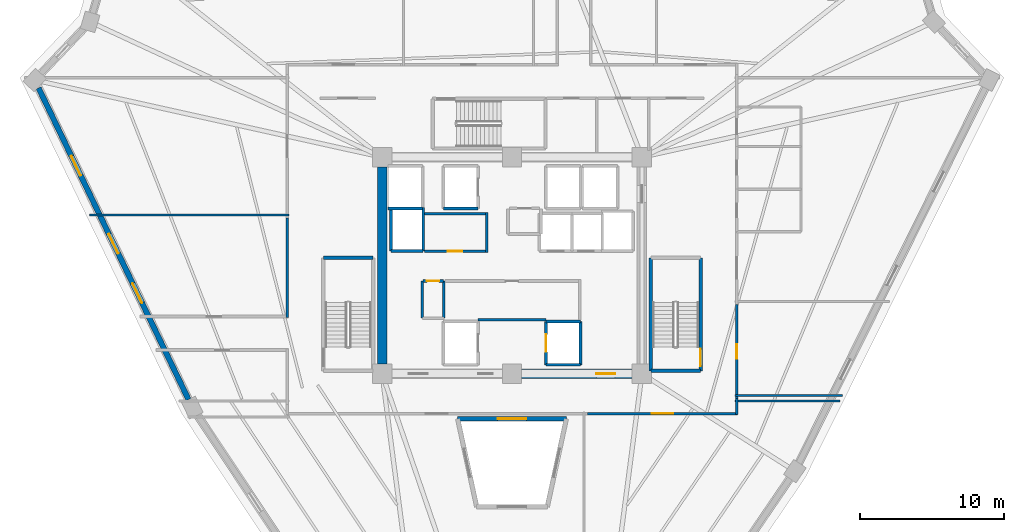
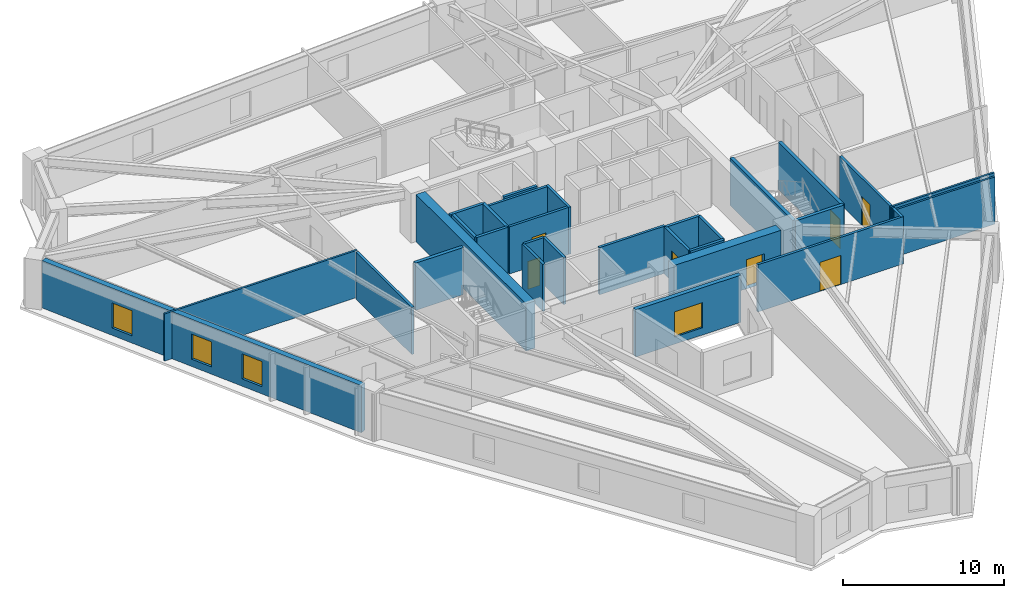
# One storey, part 4 of 9: 31 walls, 7 doors, 4 windows, 11 openings.
"""IFC4 building model written with IfcOpenShell, lengths in metres."""

from ifc_helpers import new_model, si_unit, direction, frame, frame_2d, origin, place, context, subcontext, project, spatial, rectangle, extrude, source, transform, mapped, material, layer, layer_set, type_object, element, fill, save


model = new_model("IFC4")

# Units and contexts
model_context = context("Model", 3, precision=1e-05, world=origin(), true_north=direction((0.0, 1.0)))
body_context = subcontext(model_context, "Body", "Model", "MODEL_VIEW")
ifc_project = project(units=[si_unit("LENGTHUNIT", "METRE"), si_unit("AREAUNIT", "SQUARE_METRE"), si_unit("VOLUMEUNIT", "CUBIC_METRE"), si_unit("PLANEANGLEUNIT", "RADIAN"), si_unit("MASSUNIT", "GRAM", prefix="KILO")], contexts=[model_context])

# Site, building, storey
site_placement = place(None, origin())
site = spatial("IfcSite", under=ifc_project, at=site_placement, CompositionType="ELEMENT")
building_placement = place(site_placement, origin())
building = spatial("IfcBuilding", under=site, at=building_placement, Name="Liaohun Quay Tower", CompositionType="ELEMENT")
storey_placement = place(building_placement, frame((0.0, 0.0, 224.25)))
storey = spatial("IfcBuildingStorey", under=building, at=storey_placement, Name="L58", CompositionType="ELEMENT", Elevation=224.25)

# Wall, opening, window
ifc_material_1 = material(Name="Concrete C50", Category="concrete")
ifc_layer_1 = layer(ifc_material_1, 0.300048828125, Name="Concrete C50", Category="concrete")
ifc_layer_set_1 = layer_set([ifc_layer_1], Name="Concrete C50")
wall_type_1 = type_object("IfcWallType", Name="WAL-ATR-300", PredefinedType="SOLIDWALL", material=ifc_layer_set_1)
wall_1_placement = place(storey_placement, frame((56.236083984375, 43.3701171875, 0.0), z_axis=(0.0, 0.0, 1.0), x_axis=(1.0, 0.0, 0.0)))
wall_1 = element("IfcWall", 1, at=wall_1_placement, inside=storey, type_object=wall_type_1, Name="L58 Atrium Fire Compartment Wall 2", PredefinedType="SOLIDWALL", context=body_context, shape_type="SweptSolid", body=[
    extrude(rectangle(XDim=7.52783203125, YDim=0.300048828125, at=frame_2d((3.763916015625, 0.0))), origin(), (0.0, 0.0, 1.0), 3.570068359375),
])
shared_shape_1 = source(origin(), body_context, "Body", "SweptSolid", [
    extrude(rectangle(XDim=2.0, YDim=1.89990234375, at=frame_2d((1.0, 0.949951171875))), frame((0.0, 0.159912109375, 0.0), z_axis=(0.0, -1.0, 0.0), x_axis=(1.0, 0.0, 0.0)), (0.0, 0.0, 1.0), 0.320068359375),
])
opening_1_placement = place(wall_1_placement, frame((2.763916015625, 0.0, 0.550048828125)))
opening_1 = element("IfcOpeningElement", 2, at=opening_1_placement, cuts=wall_1, Name="Opening W07", PredefinedType="OPENING", context=body_context, shape_type="MappedRepresentation", body=[
    mapped(shared_shape_1, transform((0.0, 0.0, 0.0), x_axis=(1.0, 0.0, 0.0), y_axis=(0.0, 1.0, 0.0), z_axis=(0.0, 0.0, 1.0), scale=1.0)),
])
ifc_material_2 = material(Name="Class A 180-min fire-resistant insulated glazing", Category="glass")
window_type_1 = type_object("IfcWindowType", Name="WIN-ATR-FIR", PartitioningType="DOUBLE_PANEL_VERTICAL", PredefinedType="WINDOW", material=ifc_material_2)
shared_shape_2 = source(origin(), body_context, "Body", "SweptSolid", [
    extrude(rectangle(XDim=2.0, YDim=1.89990234375, at=frame_2d((1.0, 0.949951171875))), frame((0.0, 0.030029296875, 0.0), z_axis=(0.0, -1.0, 0.0), x_axis=(1.0, 0.0, 0.0)), (0.0, 0.0, 1.0), 0.06005859375),
])
window_1_placement = place(opening_1_placement, origin())
window_1 = element("IfcWindow", 3, at=window_1_placement, inside=storey, type_object=window_type_1, Name="L58 Atrium Fire-Resistant Glazing W07-2", OverallHeight=1.89990234375, OverallWidth=2.0, PartitioningType="DOUBLE_PANEL_VERTICAL", PredefinedType="WINDOW", context=body_context, shape_type="MappedRepresentation", body=[
    mapped(shared_shape_2, transform((0.0, 0.0, 0.0), x_axis=(1.0, 0.0, 0.0), y_axis=(0.0, 1.0, 0.0), z_axis=(0.0, 0.0, 1.0), scale=1.0)),
])
fill(opening_1, window_1)

# Wall, opening, door
ifc_material_3 = material(Name="Concrete C55", Category="concrete")
ifc_layer_2 = layer(ifc_material_3, 0.64990234375, Name="Concrete C55", Category="concrete")
ifc_layer_set_2 = layer_set([ifc_layer_2], Name="Concrete C55")
wall_type_2 = type_object("IfcWallType", Name="WAL-COR-Z3", PredefinedType="SHEAR", material=ifc_layer_set_2)
wall_2_placement = place(storey_placement, frame((68.324951171875, 46.5, 0.0), z_axis=(0.0, 0.0, 1.0), x_axis=(-1.0, 0.0, 0.0)))
wall_2 = element("IfcWall", 4, at=wall_2_placement, inside=storey, type_object=wall_type_2, Name="L58 Central Core Shear Wall S-E", PredefinedType="SHEAR", context=body_context, shape_type="SweptSolid", body=[
    extrude(rectangle(XDim=7.64990234375, YDim=0.64990234375, at=frame_2d((3.824951171875, 0.0))), origin(), (0.0, 0.0, 1.0), 3.570068359375),
])
shared_shape_3 = source(origin(), body_context, "Body", "SweptSolid", [
    extrude(rectangle(XDim=1.300048828125, YDim=2.199951171875, at=frame_2d((0.64990234375, 1.10009765625))), frame((0.0, 0.3349609375, 0.0), z_axis=(0.0, -1.0, 0.0), x_axis=(1.0, 0.0, 0.0)), (0.0, 0.0, 1.0), 0.669921875),
])
opening_2_placement = place(wall_2_placement, frame((1.175048828125, 0.0, 0.0)))
opening_2 = element("IfcOpeningElement", 5, at=opening_2_placement, cuts=wall_2, Name="Opening FD1", PredefinedType="OPENING", context=body_context, shape_type="MappedRepresentation", body=[
    mapped(shared_shape_3, transform((0.0, 0.0, 0.0), x_axis=(1.0, 0.0, 0.0), y_axis=(0.0, 1.0, 0.0), z_axis=(0.0, 0.0, 1.0), scale=1.0)),
])
ifc_material_4 = material(Name="Galvanised steel smokeproof fire door", Category="steel")
door_type_1 = type_object("IfcDoorType", Name="DOR-FFL-1300", OperationType="NOTDEFINED", PredefinedType="DOOR", material=ifc_material_4)
shared_shape_4 = source(origin(), body_context, "Body", "SweptSolid", [
    extrude(rectangle(XDim=1.300048828125, YDim=2.199951171875, at=frame_2d((0.64990234375, 1.10009765625))), frame((0.0, 0.02490234375, 0.0), z_axis=(0.0, -1.0, 0.0), x_axis=(1.0, 0.0, 0.0)), (0.0, 0.0, 1.0), 0.050048828125),
])
door_1_placement = place(opening_2_placement, origin())
door_1 = element("IfcDoor", 6, at=door_1_placement, inside=storey, type_object=door_type_1, Name="L58 East Core Lift Lobby Smokeproof Door", OperationType="SINGLE_SWING_LEFT", OverallHeight=2.199951171875, OverallWidth=1.300048828125, PredefinedType="DOOR", context=body_context, shape_type="MappedRepresentation", body=[
    mapped(shared_shape_4, transform((0.0, 0.0, 0.0), x_axis=(1.0, 0.0, 0.0), y_axis=(0.0, 1.0, 0.0), z_axis=(0.0, 0.0, 1.0), scale=1.0)),
])
fill(opening_2, door_1)

# Wall
wall_3_placement = place(storey_placement, frame((51.0, 47.175048828125, 0.0), z_axis=(0.0, 0.0, 1.0), x_axis=(0.0, 1.0, 0.0)))
element("IfcWall", 7, at=wall_3_placement, inside=storey, type_object=wall_type_2, Name="L58 Central Core Shear Wall W", PredefinedType="SHEAR", context=body_context, shape_type="SweptSolid", body=[
    extrude(rectangle(XDim=13.64990234375, YDim=0.64990234375, at=frame_2d((6.824951171875, 0.0))), origin(), (0.0, 0.0, 1.0), 3.570068359375),
])

# Wall, openings, windows
ifc_material_5 = material(Name="Precast concrete C50 insulated sandwich", Category="concrete")
ifc_layer_3 = layer(ifc_material_5, 0.3798828125, Name="Precast concrete C50 insulated sandwich", Category="concrete")
ifc_layer_set_3 = layer_set([ifc_layer_3], Name="Precast concrete C50 insulated sandwich")
wall_type_3 = type_object("IfcWallType", Name="WAL-EXT-Z34", PredefinedType="SOLIDWALL", material=ifc_layer_set_3)
wall_4_placement = place(storey_placement, frame((27.2109375, 66.287109375, 0.0), z_axis=(0.0, 0.0, 1.0), x_axis=(0.433730710757, -0.901042546469, 0.0)))
wall_4 = element("IfcWall", 8, at=wall_4_placement, inside=storey, type_object=wall_type_3, Name="L58 Brutalist Precast Pier Wall 10", PredefinedType="SOLIDWALL", context=body_context, shape_type="SweptSolid", body=[
    extrude(rectangle(XDim=23.947998046875, YDim=0.3798828125, at=frame_2d((11.97412109375, 0.0))), origin(), (0.0, 0.0, 1.0), 3.570068359375),
])
shared_shape_5 = source(origin(), body_context, "Body", "SweptSolid", [
    extrude(rectangle(XDim=1.5, YDim=1.89990234375, at=frame_2d((0.75, 0.949951171875))), frame((0.0, 0.199951171875, 0.0), z_axis=(0.0, -1.0, 0.0), x_axis=(1.0, 0.0, 0.0)), (0.0, 0.0, 1.0), 0.39990234375),
])
opening_3_placement = place(wall_4_placement, frame((5.237060546875, 0.0, 0.550048828125)))
opening_3 = element("IfcOpeningElement", 9, at=opening_3_placement, cuts=wall_4, Name="Opening W03", PredefinedType="OPENING", context=body_context, shape_type="MappedRepresentation", body=[
    mapped(shared_shape_5, transform((0.0, 0.0, 0.0), x_axis=(1.0, 0.0, 0.0), y_axis=(0.0, 1.0, 0.0), z_axis=(0.0, 0.0, 1.0), scale=1.0)),
])
opening_4_placement = place(wall_4_placement, frame((11.22412109375, 0.0, 0.550048828125)))
opening_4 = element("IfcOpeningElement", 10, at=opening_4_placement, cuts=wall_4, Name="Opening W03", PredefinedType="OPENING", context=body_context, shape_type="MappedRepresentation", body=[
    mapped(shared_shape_5, transform((0.0, 0.0, 0.0), x_axis=(1.0, 0.0, 0.0), y_axis=(0.0, 1.0, 0.0), z_axis=(0.0, 0.0, 1.0), scale=1.0)),
])
opening_5_placement = place(wall_4_placement, frame((15.010986328125, 0.0, 0.550048828125)))
opening_5 = element("IfcOpeningElement", 11, at=opening_5_placement, cuts=wall_4, Name="Opening W03", PredefinedType="OPENING", context=body_context, shape_type="MappedRepresentation", body=[
    mapped(shared_shape_5, transform((0.0, 0.0, 0.0), x_axis=(1.0, 0.0, 0.0), y_axis=(0.0, 1.0, 0.0), z_axis=(0.0, 0.0, 1.0), scale=1.0)),
])
ifc_material_6 = material(Name="Triple Low-E argon glazing in thermally broken aluminium", Category="aluminium")
window_type_2 = type_object("IfcWindowType", Name="WIN-PUN-Z3", PartitioningType="DOUBLE_PANEL_VERTICAL", PredefinedType="WINDOW", material=ifc_material_6)
shared_shape_6 = source(origin(), body_context, "Body", "SweptSolid", [
    extrude(rectangle(XDim=1.5, YDim=1.89990234375, at=frame_2d((0.75, 0.949951171875))), frame((0.0, 0.030029296875, 0.0), z_axis=(0.0, -1.0, 0.0), x_axis=(1.0, 0.0, 0.0)), (0.0, 0.0, 1.0), 0.06005859375),
])
window_2_placement = place(opening_3_placement, origin())
window_2 = element("IfcWindow", 12, at=window_2_placement, inside=storey, type_object=window_type_2, Name="L58 Recessed Cold-Climate Punched Window 10-1", OverallHeight=1.89990234375, OverallWidth=1.5, PartitioningType="DOUBLE_PANEL_VERTICAL", PredefinedType="WINDOW", context=body_context, shape_type="MappedRepresentation", body=[
    mapped(shared_shape_6, transform((0.0, 0.0, 0.0), x_axis=(1.0, 0.0, 0.0), y_axis=(0.0, 1.0, 0.0), z_axis=(0.0, 0.0, 1.0), scale=1.0)),
])
fill(opening_3, window_2)
window_3_placement = place(opening_4_placement, origin())
window_3 = element("IfcWindow", 13, at=window_3_placement, inside=storey, type_object=window_type_2, Name="L58 Recessed Cold-Climate Punched Window 10-2", OverallHeight=1.89990234375, OverallWidth=1.5, PartitioningType="DOUBLE_PANEL_VERTICAL", PredefinedType="WINDOW", context=body_context, shape_type="MappedRepresentation", body=[
    mapped(shared_shape_6, transform((0.0, 0.0, 0.0), x_axis=(1.0, 0.0, 0.0), y_axis=(0.0, 1.0, 0.0), z_axis=(0.0, 0.0, 1.0), scale=1.0)),
])
fill(opening_4, window_3)
window_4_placement = place(opening_5_placement, origin())
window_4 = element("IfcWindow", 14, at=window_4_placement, inside=storey, type_object=window_type_2, Name="L58 Recessed Cold-Climate Punched Window 10-3", OverallHeight=1.89990234375, OverallWidth=1.5, PartitioningType="DOUBLE_PANEL_VERTICAL", PredefinedType="WINDOW", context=body_context, shape_type="MappedRepresentation", body=[
    mapped(shared_shape_6, transform((0.0, 0.0, 0.0), x_axis=(1.0, 0.0, 0.0), y_axis=(0.0, 1.0, 0.0), z_axis=(0.0, 0.0, 1.0), scale=1.0)),
])
fill(opening_5, window_4)

# Wall, opening, door
ifc_material_7 = material(Name="Autoclaved aerated concrete blockwork", Category="masonry")
ifc_layer_4 = layer(ifc_material_7, 0.179931640625, Name="Autoclaved aerated concrete blockwork", Category="masonry")
ifc_layer_set_4 = layer_set([ifc_layer_4], Name="Autoclaved aerated concrete blockwork")
wall_type_4 = type_object("IfcWallType", Name="WAL-PRT-COR", PredefinedType="PARTITIONING", material=ifc_layer_set_4)
wall_5_placement = place(storey_placement, frame((53.949951171875, 54.97998046875, 0.0), z_axis=(0.0, 0.0, 1.0), x_axis=(1.0, 0.0, 0.0)))
wall_5 = element("IfcWall", 15, at=wall_5_placement, inside=storey, type_object=wall_type_4, Name="L58 Interior Partition Wall 002", PredefinedType="PARTITIONING", context=body_context, shape_type="SweptSolid", body=[
    extrude(rectangle(XDim=4.2099609375, YDim=0.179931640625, at=frame_2d((2.10498046875, 0.0))), origin(), (0.0, 0.0, 1.0), 3.570068359375),
])
shared_shape_7 = source(origin(), body_context, "Body", "SweptSolid", [
    extrude(rectangle(XDim=1.0, YDim=2.199951171875, at=frame_2d((0.5, 1.10009765625))), frame((0.0, 0.099853515625, 0.0), z_axis=(0.0, -1.0, 0.0), x_axis=(1.0, 0.0, 0.0)), (0.0, 0.0, 1.0), 0.199951171875),
])
opening_6_placement = place(wall_5_placement, frame((1.60009765625, 0.0, 0.0)))
opening_6 = element("IfcOpeningElement", 16, at=opening_6_placement, cuts=wall_5, Name="Opening OD1", PredefinedType="OPENING", context=body_context, shape_type="MappedRepresentation", body=[
    mapped(shared_shape_7, transform((0.0, 0.0, 0.0), x_axis=(1.0, 0.0, 0.0), y_axis=(0.0, 1.0, 0.0), z_axis=(0.0, 0.0, 1.0), scale=1.0)),
])
ifc_material_8 = material(Name="Solid-core oak veneer timber leaf in steel frame", Category="steel")
door_type_2 = type_object("IfcDoorType", Name="DOR-OFF-1000", OperationType="NOTDEFINED", PredefinedType="DOOR", material=ifc_material_8)
shared_shape_8 = source(origin(), body_context, "Body", "SweptSolid", [
    extrude(rectangle(XDim=1.0, YDim=2.199951171875, at=frame_2d((0.5, 1.10009765625))), frame((0.0, 0.02490234375, 0.0), z_axis=(0.0, -1.0, 0.0), x_axis=(1.0, 0.0, 0.0)), (0.0, 0.0, 1.0), 0.050048828125),
])
door_2_placement = place(opening_6_placement, origin())
door_2 = element("IfcDoor", 17, at=door_2_placement, inside=storey, type_object=door_type_2, Name="L58 Core Staff Pantry and Tea Room Door", OperationType="SINGLE_SWING_RIGHT", OverallHeight=2.199951171875, OverallWidth=1.0, PredefinedType="DOOR", context=body_context, shape_type="MappedRepresentation", body=[
    mapped(shared_shape_8, transform((0.0, 0.0, 0.0), x_axis=(1.0, 0.0, 0.0), y_axis=(0.0, 1.0, 0.0), z_axis=(0.0, 0.0, 1.0), scale=1.0)),
])
fill(opening_6, door_2)

wall_6_placement = place(storey_placement, frame((53.820068359375, 52.919921875, 0.0), z_axis=(0.0, 0.0, 1.0), x_axis=(1.0, 0.0, 0.0)))
wall_6 = element("IfcWall", 18, at=wall_6_placement, inside=storey, type_object=wall_type_4, Name="L58 Interior Partition Wall 004", PredefinedType="PARTITIONING", context=body_context, shape_type="SweptSolid", body=[
    extrude(rectangle(XDim=1.429931640625, YDim=0.179931640625, at=frame_2d((0.71484375, 0.0))), origin(), (0.0, 0.0, 1.0), 3.570068359375),
])
shared_shape_9 = source(origin(), body_context, "Body", "SweptSolid", [
    extrude(rectangle(XDim=0.85009765625, YDim=2.10009765625, at=frame_2d((0.425048828125, 1.050048828125))), frame((0.0, 0.099853515625, 0.0), z_axis=(0.0, -1.0, 0.0), x_axis=(1.0, 0.0, 0.0)), (0.0, 0.0, 1.0), 0.199951171875),
])
opening_7_placement = place(wall_6_placement, frame((0.2900390625, 0.0, 0.0)))
opening_7 = element("IfcOpeningElement", 19, at=opening_7_placement, cuts=wall_6, Name="Opening AD1", PredefinedType="OPENING", context=body_context, shape_type="MappedRepresentation", body=[
    mapped(shared_shape_9, transform((0.0, 0.0, 0.0), x_axis=(1.0, 0.0, 0.0), y_axis=(0.0, 1.0, 0.0), z_axis=(0.0, 0.0, 1.0), scale=1.0)),
])
ifc_material_9 = material(Name="Steel riser inspection fire door", Category="steel")
door_type_3 = type_object("IfcDoorType", Name="DOR-SHF-850", OperationType="NOTDEFINED", PredefinedType="DOOR", material=ifc_material_9)
shared_shape_10 = source(origin(), body_context, "Body", "SweptSolid", [
    extrude(rectangle(XDim=0.85009765625, YDim=2.10009765625, at=frame_2d((0.425048828125, 1.050048828125))), frame((0.0, 0.02490234375, 0.0), z_axis=(0.0, -1.0, 0.0), x_axis=(1.0, 0.0, 0.0)), (0.0, 0.0, 1.0), 0.050048828125),
])
door_3_placement = place(opening_7_placement, origin())
door_3 = element("IfcDoor", 20, at=door_3_placement, inside=storey, type_object=door_type_3, Name="L58 Mechanical Smoke Duct Room Door", OperationType="SINGLE_SWING_RIGHT", OverallHeight=2.10009765625, OverallWidth=0.85009765625, PredefinedType="DOOR", context=body_context, shape_type="MappedRepresentation", body=[
    mapped(shared_shape_10, transform((0.0, 0.0, 0.0), x_axis=(1.0, 0.0, 0.0), y_axis=(0.0, 1.0, 0.0), z_axis=(0.0, 0.0, 1.0), scale=1.0)),
])
fill(opening_7, door_3)

wall_7_placement = place(storey_placement, frame((75.6298828125, 43.739990234375, 0.0), z_axis=(0.0, 0.0, 1.0), x_axis=(-1.0, 0.0, 0.0)))
wall_7 = element("IfcWall", 21, at=wall_7_placement, inside=storey, type_object=wall_type_4, Name="L58 Interior Partition Wall 022", PredefinedType="PARTITIONING", context=body_context, shape_type="SweptSolid", body=[
    extrude(rectangle(XDim=10.414794921875, YDim=0.179931640625, at=frame_2d((5.20751953125, 0.0))), origin(), (0.0, 0.0, 1.0), 3.570068359375),
])
shared_shape_11 = source(origin(), body_context, "Body", "SweptSolid", [
    extrude(rectangle(XDim=1.5, YDim=2.199951171875, at=frame_2d((0.75, 1.10009765625))), frame((0.0, 0.099853515625, 0.0), z_axis=(0.0, -1.0, 0.0), x_axis=(1.0, 0.0, 0.0)), (0.0, 0.0, 1.0), 0.199951171875),
])
opening_8_placement = place(wall_7_placement, frame((4.45703125, 0.0, 0.0)))
opening_8 = element("IfcOpeningElement", 22, at=opening_8_placement, cuts=wall_7, Name="Opening OD2", PredefinedType="OPENING", context=body_context, shape_type="MappedRepresentation", body=[
    mapped(shared_shape_11, transform((0.0, 0.0, 0.0), x_axis=(1.0, 0.0, 0.0), y_axis=(0.0, 1.0, 0.0), z_axis=(0.0, 0.0, 1.0), scale=1.0)),
])
ifc_material_10 = material(Name="Acoustic oak veneer double door")
door_type_4 = type_object("IfcDoorType", Name="DOR-OFF-1500", OperationType="DOUBLE_DOOR_SINGLE_SWING", PredefinedType="DOOR", material=ifc_material_10)
shared_shape_12 = source(origin(), body_context, "Body", "SweptSolid", [
    extrude(rectangle(XDim=1.5, YDim=2.199951171875, at=frame_2d((0.75, 1.10009765625))), frame((0.0, 0.02490234375, 0.0), z_axis=(0.0, -1.0, 0.0), x_axis=(1.0, 0.0, 0.0)), (0.0, 0.0, 1.0), 0.050048828125),
])
door_4_placement = place(opening_8_placement, origin())
door_4 = element("IfcDoor", 23, at=door_4_placement, inside=storey, type_object=door_type_4, Name="L58 Executive Partner Office 11 Door", OperationType="DOUBLE_DOOR_SINGLE_SWING", OverallHeight=2.199951171875, OverallWidth=1.5, PredefinedType="DOOR", context=body_context, shape_type="MappedRepresentation", body=[
    mapped(shared_shape_12, transform((0.0, 0.0, 0.0), x_axis=(1.0, 0.0, 0.0), y_axis=(0.0, 1.0, 0.0), z_axis=(0.0, 0.0, 1.0), scale=1.0)),
])
fill(opening_8, door_4)

wall_8_placement = place(storey_placement, frame((75.56005859375, 51.284912109375, 0.0), z_axis=(0.0, 0.0, 1.0), x_axis=(0.0, -1.0, 0.0)))
wall_8 = element("IfcWall", 24, at=wall_8_placement, inside=storey, type_object=wall_type_4, Name="L58 Interior Partition Wall 023", PredefinedType="PARTITIONING", context=body_context, shape_type="SweptSolid", body=[
    extrude(rectangle(XDim=6.5, YDim=0.179931640625, at=frame_2d((3.25, 0.0))), origin(), (0.0, 0.0, 1.0), 3.570068359375),
])
opening_9_placement = place(wall_8_placement, frame((2.75, 0.0, 0.0)))
opening_9 = element("IfcOpeningElement", 25, at=opening_9_placement, cuts=wall_8, Name="Opening OD1", PredefinedType="OPENING", context=body_context, shape_type="MappedRepresentation", body=[
    mapped(shared_shape_7, transform((0.0, 0.0, 0.0), x_axis=(1.0, 0.0, 0.0), y_axis=(0.0, 1.0, 0.0), z_axis=(0.0, 0.0, 1.0), scale=1.0)),
])
door_5_placement = place(opening_9_placement, origin())
door_5 = element("IfcDoor", 26, at=door_5_placement, inside=storey, type_object=door_type_2, Name="L58 Client Reception Office 12 Door", OperationType="SINGLE_SWING_LEFT", OverallHeight=2.199951171875, OverallWidth=1.0, PredefinedType="DOOR", context=body_context, shape_type="MappedRepresentation", body=[
    mapped(shared_shape_8, transform((0.0, 0.0, 0.0), x_axis=(1.0, 0.0, 0.0), y_axis=(0.0, 1.0, 0.0), z_axis=(0.0, 0.0, 1.0), scale=1.0)),
])
fill(opening_9, door_5)

# Walls
for number, where, z_axis, x_axis, name in (
    (27, (53.7900390625, 50.35009765625, 0.0), (0.0, 0.0, 1.0), (0.0, 1.0, 0.0), "L58 Interior Partition Wall 027"),
    (28, (55.280029296875, 50.35009765625, 0.0), (0.0, 0.0, 1.0), (0.0, 1.0, 0.0), "L58 Interior Partition Wall 029"),
):
    element("IfcWall", number, at=place(storey_placement, frame(where, z_axis=z_axis, x_axis=x_axis)), inside=storey, type_object=wall_type_4, Name=name, PredefinedType="PARTITIONING", context=body_context, shape_type="SweptSolid", body=[
        extrude(rectangle(XDim=2.56982421875, YDim=0.179931640625, at=frame_2d((1.284912109375, 0.0))), origin(), (0.0, 0.0, 1.0), 3.570068359375),
    ])
wall_9_placement = place(storey_placement, frame((44.43994140625, 50.389892578125, 0.0), z_axis=(0.0, 0.0, 1.0), x_axis=(0.0, 1.0, 0.0)))
element("IfcWall", 29, at=wall_9_placement, inside=storey, type_object=wall_type_4, Name="L58 Interior Partition Wall 042", PredefinedType="PARTITIONING", context=body_context, shape_type="SweptSolid", body=[
    extrude(rectangle(XDim=6.89501953125, YDim=0.179931640625, at=frame_2d((3.447509765625, 0.0))), origin(), (0.0, 0.0, 1.0), 3.570068359375),
])
wall_10_placement = place(storey_placement, frame((75.56005859375, 44.784912109375, 0.0), z_axis=(0.0, 0.0, 1.0), x_axis=(0.0, -1.0, 0.0)))
element("IfcWall", 30, at=wall_10_placement, inside=storey, type_object=wall_type_4, Name="L58 Interior Partition Wall 045", PredefinedType="PARTITIONING", context=body_context, shape_type="SweptSolid", body=[
    extrude(rectangle(XDim=1.114990234375, YDim=0.179931640625, at=frame_2d((0.5576171875, 0.0))), origin(), (0.0, 0.0, 1.0), 3.570068359375),
])
wall_11_placement = place(storey_placement, frame((57.64990234375, 50.25, 0.0), z_axis=(0.0, 0.0, 1.0), x_axis=(1.0, 0.0, 0.0)))
element("IfcWall", 31, at=wall_11_placement, inside=storey, type_object=wall_type_4, Name="L58 Interior Partition Wall 059", PredefinedType="PARTITIONING", context=body_context, shape_type="SweptSolid", body=[
    extrude(rectangle(XDim=4.7001953125, YDim=0.179931640625, at=frame_2d((2.35009765625, 0.0))), origin(), (0.0, 0.0, 1.0), 3.570068359375),
])
wall_12_placement = place(storey_placement, frame((58.25, 54.889892578125, 0.0), z_axis=(0.0, 0.0, 1.0), x_axis=(0.0, 1.0, 0.0)))
element("IfcWall", 32, at=wall_12_placement, inside=storey, type_object=wall_type_4, Name="L58 Interior Partition Wall 060", PredefinedType="PARTITIONING", context=body_context, shape_type="SweptSolid", body=[
    extrude(rectangle(XDim=2.780029296875, YDim=0.179931640625, at=frame_2d((1.39013671875, 0.0))), origin(), (0.0, 0.0, 1.0), 3.570068359375),
])
wall_13_placement = place(storey_placement, frame((53.949951171875, 57.580078125, 0.0), z_axis=(0.0, 0.0, 1.0), x_axis=(1.0, 0.0, 0.0)))
element("IfcWall", 33, at=wall_13_placement, inside=storey, type_object=wall_type_4, Name="L58 Interior Partition Wall 061", PredefinedType="PARTITIONING", context=body_context, shape_type="SweptSolid", body=[
    extrude(rectangle(XDim=4.2099609375, YDim=0.179931640625, at=frame_2d((2.10498046875, 0.0))), origin(), (0.0, 0.0, 1.0), 3.570068359375),
])
ifc_material_11 = material(Name="Gypsum board on twin steel studs", Category="steel")
ifc_layer_5 = layer(ifc_material_11, 0.139892578125, Name="Gypsum board on twin steel studs", Category="steel")
ifc_layer_set_5 = layer_set([ifc_layer_5], Name="Gypsum board on twin steel studs")
wall_type_5 = type_object("IfcWallType", Name="WAL-PRT-OFF", PredefinedType="PARTITIONING", material=ifc_layer_set_5)
wall_14_placement = place(storey_placement, frame((44.5400390625, 57.5, 0.0), z_axis=(0.0, 0.0, 1.0), x_axis=(-1.0, 0.0, 0.0)))
element("IfcWall", 34, at=wall_14_placement, inside=storey, type_object=wall_type_5, Name="L58 Interior Partition Wall 048", PredefinedType="PARTITIONING", context=body_context, shape_type="SweptSolid", body=[
    extrude(rectangle(XDim=13.799072265625, YDim=0.139892578125, at=frame_2d((6.8994140625, 0.0))), origin(), (0.0, 0.0, 1.0), 3.570068359375),
])
wall_15_placement = place(storey_placement, frame((75.4599609375, 44.60009765625, 0.0), z_axis=(0.0, 0.0, 1.0), x_axis=(1.0, 0.0, 0.0)))
element("IfcWall", 35, at=wall_15_placement, inside=storey, type_object=wall_type_5, Name="L58 Interior Partition Wall 050", PredefinedType="PARTITIONING", context=body_context, shape_type="SweptSolid", body=[
    extrude(rectangle(XDim=7.244140625, YDim=0.139892578125, at=frame_2d((3.6220703125, 0.0))), origin(), (0.0, 0.0, 1.0), 3.570068359375),
])
wall_16_placement = place(storey_placement, frame((75.4599609375, 45.0, 0.0), z_axis=(0.0, 0.0, 1.0), x_axis=(1.0, 0.0, 0.0)))
element("IfcWall", 36, at=wall_16_placement, inside=storey, type_object=wall_type_5, Name="L58 Interior Partition Wall 051", PredefinedType="PARTITIONING", context=body_context, shape_type="SweptSolid", body=[
    extrude(rectangle(XDim=7.442138671875, YDim=0.139892578125, at=frame_2d((3.72119140625, 0.0))), origin(), (0.0, 0.0, 1.0), 3.570068359375),
])
ifc_layer_6 = layer(ifc_material_1, 0.239990234375, Name="Concrete C50", Category="concrete")
ifc_layer_set_6 = layer_set([ifc_layer_6], Name="Concrete C50")
wall_type_6 = type_object("IfcWallType", Name="WAL-SHF-200", PredefinedType="SOLIDWALL", material=ifc_layer_set_6)
for number, where, z_axis, x_axis, name in (
    (37, (50.3798828125, 54.52001953125, 0.0), (0.0, 0.0, 1.0), (-1.0, 0.0, 0.0), "L58 Stairwell ST-1 Structural Core Wall N"),
    (38, (69.6201171875, 46.699951171875, 0.0), (0.0, 0.0, 1.0), (1.0, 0.0, 0.0), "L58 Stairwell ST-2 Structural Core Wall S"),
):
    element("IfcWall", number, at=place(storey_placement, frame(where, z_axis=z_axis, x_axis=x_axis)), inside=storey, type_object=wall_type_6, Name=name, PredefinedType="SOLIDWALL", context=body_context, shape_type="SweptSolid", body=[
        extrude(rectangle(XDim=3.43994140625, YDim=0.239990234375, at=frame_2d((1.719970703125, 0.0))), origin(), (0.0, 0.0, 1.0), 3.570068359375),
    ])

# Wall, opening, door
wall_17_placement = place(storey_placement, frame((73.06005859375, 46.699951171875, 0.0), z_axis=(0.0, 0.0, 1.0), x_axis=(0.0, 1.0, 0.0)))
wall_17 = element("IfcWall", 39, at=wall_17_placement, inside=storey, type_object=wall_type_6, Name="L58 Stairwell ST-2 Structural Core Wall E", PredefinedType="SOLIDWALL", context=body_context, shape_type="SweptSolid", body=[
    extrude(rectangle(XDim=7.820068359375, YDim=0.239990234375, at=frame_2d((3.91015625, 0.0))), origin(), (0.0, 0.0, 1.0), 3.570068359375),
])
shared_shape_13 = source(origin(), body_context, "Body", "SweptSolid", [
    extrude(rectangle(XDim=1.199951171875, YDim=2.199951171875, at=frame_2d((0.60009765625, 1.10009765625))), frame((0.0, 0.1298828125, 0.0), z_axis=(0.0, -1.0, 0.0), x_axis=(1.0, 0.0, 0.0)), (0.0, 0.0, 1.0), 0.260009765625),
])
opening_10_placement = place(wall_17_placement, frame((0.320068359375, 0.0, 0.0)))
opening_10 = element("IfcOpeningElement", 40, at=opening_10_placement, cuts=wall_17, Name="Opening SD1", PredefinedType="OPENING", context=body_context, shape_type="MappedRepresentation", body=[
    mapped(shared_shape_13, transform((0.0, 0.0, 0.0), x_axis=(1.0, 0.0, 0.0), y_axis=(0.0, 1.0, 0.0), z_axis=(0.0, 0.0, 1.0), scale=1.0)),
])
ifc_material_12 = material(Name="Galvanised steel fire door", Category="steel")
door_type_5 = type_object("IfcDoorType", Name="DOR-STR-1200", OperationType="NOTDEFINED", PredefinedType="DOOR", material=ifc_material_12)
shared_shape_14 = source(origin(), body_context, "Body", "SweptSolid", [
    extrude(rectangle(XDim=1.199951171875, YDim=2.199951171875, at=frame_2d((0.60009765625, 1.10009765625))), frame((0.0, 0.02490234375, 0.0), z_axis=(0.0, -1.0, 0.0), x_axis=(1.0, 0.0, 0.0)), (0.0, 0.0, 1.0), 0.050048828125),
])
door_6_placement = place(opening_10_placement, origin())
door_6 = element("IfcDoor", 41, at=door_6_placement, inside=storey, type_object=door_type_5, Name="L58 Protected Stair ST-2 Fire Door", OperationType="SINGLE_SWING_RIGHT", OverallHeight=2.199951171875, OverallWidth=1.199951171875, PredefinedType="DOOR", context=body_context, shape_type="MappedRepresentation", body=[
    mapped(shared_shape_14, transform((0.0, 0.0, 0.0), x_axis=(1.0, 0.0, 0.0), y_axis=(0.0, 1.0, 0.0), z_axis=(0.0, 0.0, 1.0), scale=1.0)),
])
fill(opening_10, door_6)

# Walls
wall_18_placement = place(storey_placement, frame((69.6201171875, 54.52001953125, 0.0), z_axis=(0.0, 0.0, 1.0), x_axis=(0.0, -1.0, 0.0)))
element("IfcWall", 42, at=wall_18_placement, inside=storey, type_object=wall_type_6, Name="L58 Stairwell ST-2 Structural Core Wall W", PredefinedType="SOLIDWALL", context=body_context, shape_type="SweptSolid", body=[
    extrude(rectangle(XDim=7.820068359375, YDim=0.239990234375, at=frame_2d((3.91015625, 0.0))), origin(), (0.0, 0.0, 1.0), 3.570068359375),
])
wall_19_placement = place(storey_placement, frame((62.35009765625, 47.1201171875, 0.0), z_axis=(0.0, 0.0, 1.0), x_axis=(1.0, 0.0, 0.0)))
element("IfcWall", 43, at=wall_19_placement, inside=storey, type_object=wall_type_6, Name="L58 Lift FF-02 Hoistway Wall S", PredefinedType="SOLIDWALL", context=body_context, shape_type="SweptSolid", body=[
    extrude(rectangle(XDim=2.39990234375, YDim=0.199951171875, at=frame_2d((1.199951171875, 0.0))), origin(), (0.0, 0.0, 1.0), 3.570068359375),
])
wall_20_placement = place(storey_placement, frame((64.75, 47.1201171875, 0.0), z_axis=(0.0, 0.0, 1.0), x_axis=(0.0, 1.0, 0.0)))
element("IfcWall", 44, at=wall_20_placement, inside=storey, type_object=wall_type_6, Name="L58 Lift FF-02 Hoistway Wall E", PredefinedType="SOLIDWALL", context=body_context, shape_type="SweptSolid", body=[
    extrude(rectangle(XDim=3.0, YDim=0.199951171875, at=frame_2d((1.5, 0.0))), origin(), (0.0, 0.0, 1.0), 3.570068359375),
])
wall_21_placement = place(storey_placement, frame((64.75, 50.1201171875, 0.0), z_axis=(0.0, 0.0, 1.0), x_axis=(-1.0, 0.0, 0.0)))
element("IfcWall", 45, at=wall_21_placement, inside=storey, type_object=wall_type_6, Name="L58 Lift FF-02 Hoistway Wall N", PredefinedType="SOLIDWALL", context=body_context, shape_type="SweptSolid", body=[
    extrude(rectangle(XDim=2.39990234375, YDim=0.199951171875, at=frame_2d((1.199951171875, 0.0))), origin(), (0.0, 0.0, 1.0), 3.570068359375),
])

# Wall, opening, door
wall_22_placement = place(storey_placement, frame((62.35009765625, 50.1201171875, 0.0), z_axis=(0.0, 0.0, 1.0), x_axis=(0.0, -1.0, 0.0)))
wall_22 = element("IfcWall", 46, at=wall_22_placement, inside=storey, type_object=wall_type_6, Name="L58 Lift FF-02 Hoistway Wall W", PredefinedType="SOLIDWALL", context=body_context, shape_type="SweptSolid", body=[
    extrude(rectangle(XDim=3.0, YDim=0.199951171875, at=frame_2d((1.5, 0.0))), origin(), (0.0, 0.0, 1.0), 3.570068359375),
])
shared_shape_15 = source(origin(), body_context, "Body", "SweptSolid", [
    extrude(rectangle(XDim=1.199951171875, YDim=2.300048828125, at=frame_2d((0.60009765625, 1.14990234375))), frame((0.0, 0.10986328125, 0.0), z_axis=(0.0, -1.0, 0.0), x_axis=(1.0, 0.0, 0.0)), (0.0, 0.0, 1.0), 0.219970703125),
])
opening_11_placement = place(wall_22_placement, frame((0.89990234375, 0.0, 0.0)))
opening_11 = element("IfcOpeningElement", 47, at=opening_11_placement, cuts=wall_22, Name="Opening LD2", PredefinedType="OPENING", context=body_context, shape_type="MappedRepresentation", body=[
    mapped(shared_shape_15, transform((0.0, 0.0, 0.0), x_axis=(1.0, 0.0, 0.0), y_axis=(0.0, 1.0, 0.0), z_axis=(0.0, 0.0, 1.0), scale=1.0)),
])
ifc_material_13 = material(Name="Brushed stainless steel stretcher landing door", Category="steel")
door_type_6 = type_object("IfcDoorType", Name="DOR-LFT-1200", OperationType="SLIDING_TO_LEFT", PredefinedType="DOOR", material=ifc_material_13)
shared_shape_16 = source(origin(), body_context, "Body", "SweptSolid", [
    extrude(rectangle(XDim=1.199951171875, YDim=2.300048828125, at=frame_2d((0.60009765625, 1.14990234375))), frame((0.0, 0.02490234375, 0.0), z_axis=(0.0, -1.0, 0.0), x_axis=(1.0, 0.0, 0.0)), (0.0, 0.0, 1.0), 0.050048828125),
])
door_7_placement = place(opening_11_placement, origin())
door_7 = element("IfcDoor", 48, at=door_7_placement, inside=storey, type_object=door_type_6, Name="L58 Lift FF-02 Sliding Landing Door", OperationType="SLIDING_TO_LEFT", OverallHeight=2.300048828125, OverallWidth=1.199951171875, PredefinedType="DOOR", context=body_context, shape_type="MappedRepresentation", body=[
    mapped(shared_shape_16, transform((0.0, 0.0, 0.0), x_axis=(1.0, 0.0, 0.0), y_axis=(0.0, 1.0, 0.0), z_axis=(0.0, 0.0, 1.0), scale=1.0)),
])
fill(opening_11, door_7)

# Walls
wall_23_placement = place(storey_placement, frame((55.25, 57.949951171875, 0.0), z_axis=(0.0, 0.0, 1.0), x_axis=(1.0, 0.0, 0.0)))
element("IfcWall", 49, at=wall_23_placement, inside=storey, type_object=wall_type_6, Name="L58 Lift FF-03 Hoistway Wall S", PredefinedType="SOLIDWALL", context=body_context, shape_type="SweptSolid", body=[
    extrude(rectangle(XDim=2.39990234375, YDim=0.199951171875, at=frame_2d((1.199951171875, 0.0))), origin(), (0.0, 0.0, 1.0), 3.570068359375),
])
wall_24_placement = place(storey_placement, frame((51.39990234375, 57.949951171875, 0.0), z_axis=(0.0, 0.0, 1.0), x_axis=(1.0, 0.0, 0.0)))
element("IfcWall", 50, at=wall_24_placement, inside=storey, type_object=wall_type_6, Name="L58 Lift SH-01 Hoistway Wall S", PredefinedType="SOLIDWALL", context=body_context, shape_type="SweptSolid", body=[
    extrude(rectangle(XDim=2.400146484375, YDim=0.199951171875, at=frame_2d((1.2001953125, 0.0))), origin(), (0.0, 0.0, 1.0), 3.570068359375),
])
wall_25_placement = place(storey_placement, frame((51.6201171875, 55.0, 0.0), z_axis=(0.0, 0.0, 1.0), x_axis=(1.0, 0.0, 0.0)))
element("IfcWall", 51, at=wall_25_placement, inside=storey, type_object=wall_type_6, Name="L58 Lift SH-02 Hoistway Wall S", PredefinedType="SOLIDWALL", context=body_context, shape_type="SweptSolid", body=[
    extrude(rectangle(XDim=2.22998046875, YDim=0.199951171875, at=frame_2d((1.114990234375, 0.0))), origin(), (0.0, 0.0, 1.0), 3.570068359375),
])
for number, where, z_axis, x_axis, name in (
    (52, (53.85009765625, 55.0, 0.0), (0.0, 0.0, 1.0), (0.0, 1.0, 0.0), "L58 Lift SH-02 Hoistway Wall E"),
    (53, (51.6201171875, 58.0, 0.0), (0.0, 0.0, 1.0), (0.0, -1.0, 0.0), "L58 Lift SH-02 Hoistway Wall W"),
):
    element("IfcWall", number, at=place(storey_placement, frame(where, z_axis=z_axis, x_axis=x_axis)), inside=storey, type_object=wall_type_6, Name=name, PredefinedType="SOLIDWALL", context=body_context, shape_type="SweptSolid", body=[
        extrude(rectangle(XDim=3.0, YDim=0.199951171875, at=frame_2d((1.5, 0.0))), origin(), (0.0, 0.0, 1.0), 3.570068359375),
    ])

save(model, "model.ifc")
